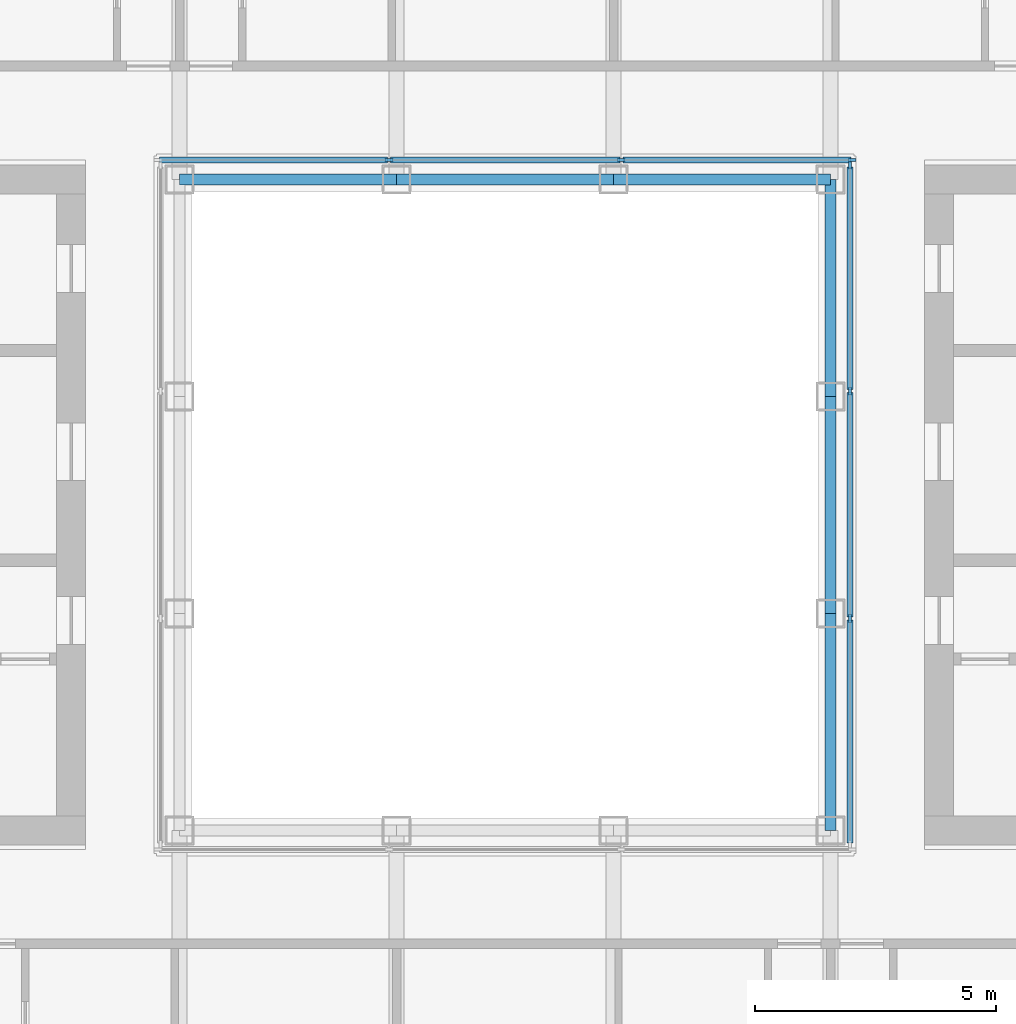
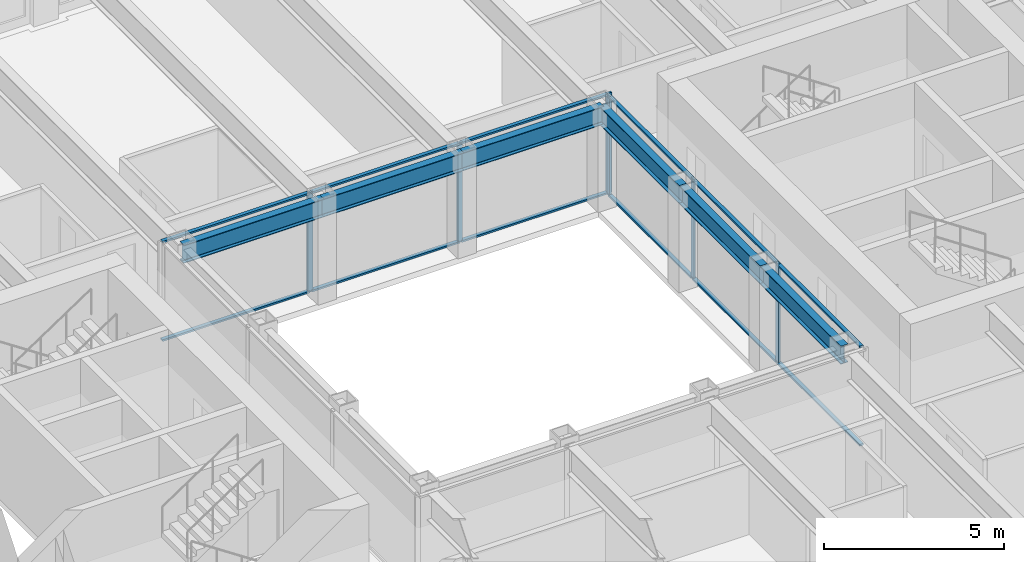
# One storey, part 5 of 17: 18 members, 6 beams, 2 elements without a shape of their own.
"""IFC4 building model written with IfcOpenShell, lengths in metres."""

from ifc_helpers import new_model, si_unit, direction, frame, origin, origin_2d, place, context, subcontext, project, spatial, rectangle, i_section, extrude, material, material_profile, profile_set, type_object, element, aggregate, save


model = new_model("IFC4")

# Units and contexts
model_context = context("Model", 3, precision=1e-05, world=origin(), true_north=direction((0.0, 1.0)))
body_context = subcontext(model_context, "Body", "Model", "MODEL_VIEW")
ifc_project = project(units=[si_unit("LENGTHUNIT", "METRE"), si_unit("AREAUNIT", "SQUARE_METRE"), si_unit("VOLUMEUNIT", "CUBIC_METRE"), si_unit("PLANEANGLEUNIT", "RADIAN"), si_unit("MASSUNIT", "GRAM", prefix="KILO")], contexts=[model_context])

# Site, building, storey
site_placement = place(None, origin())
site = spatial("IfcSite", under=ifc_project, at=site_placement, CompositionType="ELEMENT")
building_placement = place(site_placement, origin())
building = spatial("IfcBuilding", under=site, at=building_placement, Name="Msasa Ring Tower", CompositionType="ELEMENT")
storey_placement = place(building_placement, frame((0.0, 0.0, 129.199951171875)))
storey = spatial("IfcBuildingStorey", under=building, at=storey_placement, Name="L33", CompositionType="ELEMENT", Elevation=129.199951171875)

# Curtain wall, members
ifc_material_1 = material(Name="Aluminium curtain wall with clear glass", Category="aluminium")
curtain_wall_type = type_object("IfcCurtainWallType", Name="CW-W LIGHT WELL CURTAIN WALL", PredefinedType="NOTDEFINED", material=ifc_material_1)
curtain_wall_1_placement = place(storey_placement, origin())
curtain_wall_1 = element("IfcCurtainWall", 1, at=curtain_wall_1_placement, inside=storey, type_object=curtain_wall_type, Name="Light well curtain wall N L33", PredefinedType="NOTDEFINED")
ifc_material_2 = material(Name="Aluminium mullion", Category="aluminium")
ifc_material_profile_1 = material_profile(ifc_material_2, rectangle(XDim=0.06005859375, YDim=0.159912109375, at=origin_2d()), Name="AL 60x160")
ifc_profile_set_1 = profile_set([ifc_material_profile_1], Name="Aluminium mullion")
member_type_1 = type_object("IfcMemberType", Name="CW-W MULLION 60x160", PredefinedType="MULLION", material=ifc_profile_set_1)
member_1_placement = place(storey_placement, frame((-2.409912109375, 7.14990234375, 0.0), z_axis=(0.0, 0.0, 1.0), x_axis=(0.0, 1.0, 0.0)))
member_1 = element("IfcMember", 2, at=member_1_placement, type_object=member_type_1, Name="CW-W mullion 2", PredefinedType="MULLION", context=body_context, shape_type="SweptSolid", body=[
    extrude(rectangle(XDim=0.06005859375, YDim=0.159912109375, at=origin_2d()), origin(), (0.0, 0.0, 1.0), 3.400146484375),
])
member_2_placement = place(storey_placement, frame((2.409912109375, 7.14990234375, 0.0), z_axis=(0.0, 0.0, 1.0), x_axis=(0.0, 1.0, 0.0)))
member_2 = element("IfcMember", 3, at=member_2_placement, type_object=member_type_1, Name="CW-W mullion 3", PredefinedType="MULLION", context=body_context, shape_type="SweptSolid", body=[
    extrude(rectangle(XDim=0.06005859375, YDim=0.159912109375, at=origin_2d()), origin(), (0.0, 0.0, 1.0), 3.400146484375),
])
member_3_placement = place(storey_placement, frame((7.199951171875, 7.14990234375, 0.0), z_axis=(0.0, 0.0, 1.0), x_axis=(0.0, 1.0, 0.0)))
member_3 = element("IfcMember", 4, at=member_3_placement, type_object=member_type_1, Name="CW-W mullion 4", PredefinedType="MULLION", context=body_context, shape_type="SweptSolid", body=[
    extrude(rectangle(XDim=0.06005859375, YDim=0.159912109375, at=origin_2d()), origin(), (0.0, 0.0, 1.0), 3.400146484375),
])

curtain_wall_2_placement = place(storey_placement, origin())
curtain_wall_2 = element("IfcCurtainWall", 5, at=curtain_wall_2_placement, inside=storey, type_object=curtain_wall_type, Name="Light well curtain wall E L33", PredefinedType="NOTDEFINED")
member_4_placement = place(storey_placement, frame((7.14990234375, -2.356689453125, 0.0), z_axis=(0.0, 0.0, 1.0), x_axis=(-1.0, 0.0, 0.0)))
member_4 = element("IfcMember", 6, at=member_4_placement, type_object=member_type_1, Name="CW-W mullion 2", PredefinedType="MULLION", context=body_context, shape_type="SweptSolid", body=[
    extrude(rectangle(XDim=0.06005859375, YDim=0.159912109375, at=origin_2d()), origin(), (0.0, 0.0, 1.0), 3.400146484375),
])
member_5_placement = place(storey_placement, frame((7.14990234375, 2.356689453125, 0.0), z_axis=(0.0, 0.0, 1.0), x_axis=(-1.0, 0.0, 0.0)))
member_5 = element("IfcMember", 7, at=member_5_placement, type_object=member_type_1, Name="CW-W mullion 3", PredefinedType="MULLION", context=body_context, shape_type="SweptSolid", body=[
    extrude(rectangle(XDim=0.06005859375, YDim=0.159912109375, at=origin_2d()), origin(), (0.0, 0.0, 1.0), 3.400146484375),
])
member_6_placement = place(storey_placement, frame((7.14990234375, 7.0400390625, 0.0), z_axis=(0.0, 0.0, 1.0), x_axis=(-1.0, 0.0, 0.0)))
member_6 = element("IfcMember", 8, at=member_6_placement, type_object=member_type_1, Name="CW-W mullion 4", PredefinedType="MULLION", context=body_context, shape_type="SweptSolid", body=[
    extrude(rectangle(XDim=0.06005859375, YDim=0.159912109375, at=origin_2d()), origin(), (0.0, 0.0, 1.0), 3.400146484375),
])

# Member
ifc_material_3 = material(Name="Aluminium transom", Category="aluminium")
ifc_material_profile_2 = material_profile(ifc_material_3, rectangle(XDim=0.1201171875, YDim=0.06005859375, at=origin_2d()), Name="AL 60x120")
ifc_profile_set_2 = profile_set([ifc_material_profile_2], Name="Aluminium transom")
member_type_2 = type_object("IfcMemberType", Name="CW-W TRANSOM 60x120", PredefinedType="USERDEFINED", material=ifc_profile_set_2)
member_7_placement = place(storey_placement, frame((-7.169921875, 7.14990234375, 0.030029296875), z_axis=(1.0, 0.0, 0.0), x_axis=(0.0, 1.0, 0.0)))
member_7 = element("IfcMember", 9, at=member_7_placement, type_object=member_type_2, Name="CW-W transom 1.1", ObjectType="TRANSOM", PredefinedType="USERDEFINED", context=body_context, shape_type="SweptSolid", body=[
    extrude(rectangle(XDim=0.1201171875, YDim=0.06005859375, at=origin_2d()), origin(), (0.0, 0.0, 1.0), 4.72998046875),
])

member_8_placement = place(storey_placement, frame((-7.169921875, 7.14990234375, 3.3701171875), z_axis=(1.0, 0.0, 0.0), x_axis=(0.0, 1.0, 0.0)))
member_8 = element("IfcMember", 10, at=member_8_placement, type_object=member_type_2, Name="CW-W transom 1.2", ObjectType="TRANSOM", PredefinedType="USERDEFINED", context=body_context, shape_type="SweptSolid", body=[
    extrude(rectangle(XDim=0.1201171875, YDim=0.06005859375, at=origin_2d()), origin(), (0.0, 0.0, 1.0), 4.72998046875),
])

member_9_placement = place(storey_placement, frame((-2.3798828125, 7.14990234375, 0.030029296875), z_axis=(1.0, 0.0, 0.0), x_axis=(0.0, 1.0, 0.0)))
member_9 = element("IfcMember", 11, at=member_9_placement, type_object=member_type_2, Name="CW-W transom 2.1", ObjectType="TRANSOM", PredefinedType="USERDEFINED", context=body_context, shape_type="SweptSolid", body=[
    extrude(rectangle(XDim=0.1201171875, YDim=0.06005859375, at=origin_2d()), origin(), (0.0, 0.0, 1.0), 4.759765625),
])

member_10_placement = place(storey_placement, frame((-2.3798828125, 7.14990234375, 3.3701171875), z_axis=(1.0, 0.0, 0.0), x_axis=(0.0, 1.0, 0.0)))
member_10 = element("IfcMember", 12, at=member_10_placement, type_object=member_type_2, Name="CW-W transom 2.2", ObjectType="TRANSOM", PredefinedType="USERDEFINED", context=body_context, shape_type="SweptSolid", body=[
    extrude(rectangle(XDim=0.1201171875, YDim=0.06005859375, at=origin_2d()), origin(), (0.0, 0.0, 1.0), 4.759765625),
])

member_11_placement = place(storey_placement, frame((2.43994140625, 7.14990234375, 0.030029296875), z_axis=(1.0, 0.0, 0.0), x_axis=(0.0, 1.0, 0.0)))
member_11 = element("IfcMember", 13, at=member_11_placement, type_object=member_type_2, Name="CW-W transom 3.1", ObjectType="TRANSOM", PredefinedType="USERDEFINED", context=body_context, shape_type="SweptSolid", body=[
    extrude(rectangle(XDim=0.1201171875, YDim=0.06005859375, at=origin_2d()), origin(), (0.0, 0.0, 1.0), 4.72998046875),
])

member_12_placement = place(storey_placement, frame((2.43994140625, 7.14990234375, 3.3701171875), z_axis=(1.0, 0.0, 0.0), x_axis=(0.0, 1.0, 0.0)))
member_12 = element("IfcMember", 14, at=member_12_placement, type_object=member_type_2, Name="CW-W transom 3.2", ObjectType="TRANSOM", PredefinedType="USERDEFINED", context=body_context, shape_type="SweptSolid", body=[
    extrude(rectangle(XDim=0.1201171875, YDim=0.06005859375, at=origin_2d()), origin(), (0.0, 0.0, 1.0), 4.72998046875),
])

aggregate(curtain_wall_1, [member_1, member_2, member_3, member_7, member_8, member_9, member_10, member_11, member_12])

member_13_placement = place(storey_placement, frame((7.14990234375, -7.010009765625, 0.030029296875), z_axis=(0.0, 1.0, 0.0), x_axis=(-1.0, 0.0, 0.0)))
member_13 = element("IfcMember", 15, at=member_13_placement, type_object=member_type_2, Name="CW-W transom 1.1", ObjectType="TRANSOM", PredefinedType="USERDEFINED", context=body_context, shape_type="SweptSolid", body=[
    extrude(rectangle(XDim=0.1201171875, YDim=0.06005859375, at=origin_2d()), origin(), (0.0, 0.0, 1.0), 4.623291015625),
])

member_14_placement = place(storey_placement, frame((7.14990234375, -7.010009765625, 3.3701171875), z_axis=(0.0, 1.0, 0.0), x_axis=(-1.0, 0.0, 0.0)))
member_14 = element("IfcMember", 16, at=member_14_placement, type_object=member_type_2, Name="CW-W transom 1.2", ObjectType="TRANSOM", PredefinedType="USERDEFINED", context=body_context, shape_type="SweptSolid", body=[
    extrude(rectangle(XDim=0.1201171875, YDim=0.06005859375, at=origin_2d()), origin(), (0.0, 0.0, 1.0), 4.623291015625),
])

member_15_placement = place(storey_placement, frame((7.14990234375, -2.32666015625, 0.030029296875), z_axis=(0.0, 1.0, 0.0), x_axis=(-1.0, 0.0, 0.0)))
member_15 = element("IfcMember", 17, at=member_15_placement, type_object=member_type_2, Name="CW-W transom 2.1", ObjectType="TRANSOM", PredefinedType="USERDEFINED", context=body_context, shape_type="SweptSolid", body=[
    extrude(rectangle(XDim=0.1201171875, YDim=0.06005859375, at=origin_2d()), origin(), (0.0, 0.0, 1.0), 4.6533203125),
])

member_16_placement = place(storey_placement, frame((7.14990234375, -2.32666015625, 3.3701171875), z_axis=(0.0, 1.0, 0.0), x_axis=(-1.0, 0.0, 0.0)))
member_16 = element("IfcMember", 18, at=member_16_placement, type_object=member_type_2, Name="CW-W transom 2.2", ObjectType="TRANSOM", PredefinedType="USERDEFINED", context=body_context, shape_type="SweptSolid", body=[
    extrude(rectangle(XDim=0.1201171875, YDim=0.06005859375, at=origin_2d()), origin(), (0.0, 0.0, 1.0), 4.6533203125),
])

member_17_placement = place(storey_placement, frame((7.14990234375, 2.38671875, 0.030029296875), z_axis=(0.0, 1.0, 0.0), x_axis=(-1.0, 0.0, 0.0)))
member_17 = element("IfcMember", 19, at=member_17_placement, type_object=member_type_2, Name="CW-W transom 3.1", ObjectType="TRANSOM", PredefinedType="USERDEFINED", context=body_context, shape_type="SweptSolid", body=[
    extrude(rectangle(XDim=0.1201171875, YDim=0.06005859375, at=origin_2d()), origin(), (0.0, 0.0, 1.0), 4.623291015625),
])

member_18_placement = place(storey_placement, frame((7.14990234375, 2.38671875, 3.3701171875), z_axis=(0.0, 1.0, 0.0), x_axis=(-1.0, 0.0, 0.0)))
member_18 = element("IfcMember", 20, at=member_18_placement, type_object=member_type_2, Name="CW-W transom 3.2", ObjectType="TRANSOM", PredefinedType="USERDEFINED", context=body_context, shape_type="SweptSolid", body=[
    extrude(rectangle(XDim=0.1201171875, YDim=0.06005859375, at=origin_2d()), origin(), (0.0, 0.0, 1.0), 4.623291015625),
])

aggregate(curtain_wall_2, [member_4, member_5, member_6, member_13, member_14, member_15, member_16, member_17, member_18])

# Beams
ifc_material_4 = material(Name="Steel S355", Category="steel")
ifc_material_profile_3 = material_profile(ifc_material_4, i_section(OverallWidth=0.230224609375, OverallDepth=0.6171875, WebThickness=0.01318359375, FlangeThickness=0.022216796875, FilletRadius=0.0126953125, at=origin_2d()), Name="UB 610x229x140")
ifc_profile_set_3 = profile_set([ifc_material_profile_3], Name="Steel S355")
beam_type = type_object("IfcBeamType", Name="RB1 UB 610x229x140", PredefinedType="BEAM", material=ifc_profile_set_3)
for number, where, z_axis, x_axis, name in (
    (21, (6.75, -6.75, 3.091552734375), (0.0, 1.0, 0.0), (-1.0, 0.0, 0.0), "Inner ring beam IR+6.75-6.75 under L34"),
    (22, (6.75, -2.25, 3.091552734375), (0.0, 1.0, 0.0), (-1.0, 0.0, 0.0), "Inner ring beam IR+6.75-2.25 under L34"),
    (23, (6.75, 2.25, 3.091552734375), (0.0, 1.0, 0.0), (-1.0, 0.0, 0.0), "Inner ring beam IR+6.75+2.25 under L34"),
    (24, (6.75, 6.75, 3.091552734375), (-1.0, 0.0, 0.0), (0.0, -1.0, 0.0), "Inner ring beam IR+6.75+6.75 under L34"),
    (25, (2.25, 6.75, 3.091552734375), (-1.0, 0.0, 0.0), (0.0, -1.0, 0.0), "Inner ring beam IR+2.25+6.75 under L34"),
    (26, (-2.25, 6.75, 3.091552734375), (-1.0, 0.0, 0.0), (0.0, -1.0, 0.0), "Inner ring beam IR-2.25+6.75 under L34"),
):
    element("IfcBeam", number, at=place(storey_placement, frame(where, z_axis=z_axis, x_axis=x_axis)), inside=storey, type_object=beam_type, Name=name, PredefinedType="BEAM", context=body_context, shape_type="SweptSolid", body=[
        extrude(i_section(OverallWidth=0.230224609375, OverallDepth=0.6171875, WebThickness=0.01318359375, FlangeThickness=0.022216796875, FilletRadius=0.0126953125, at=origin_2d()), origin(), (0.0, 0.0, 1.0), 4.5),
    ])

save(model, "model.ifc")
